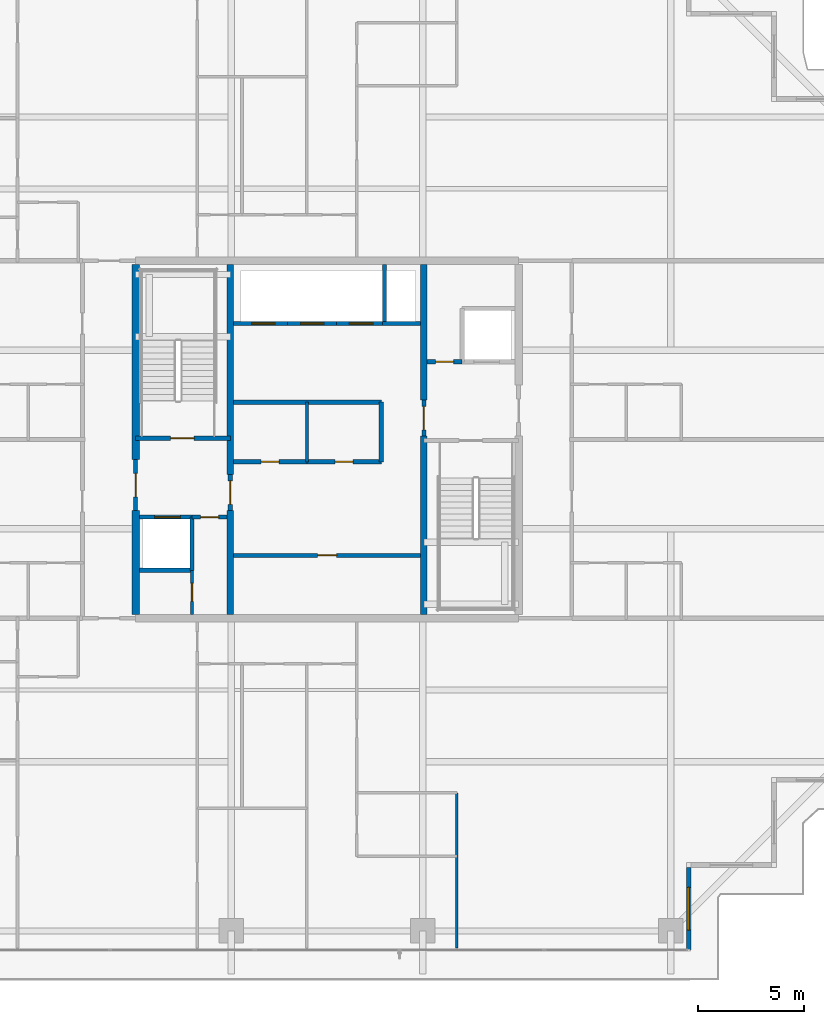
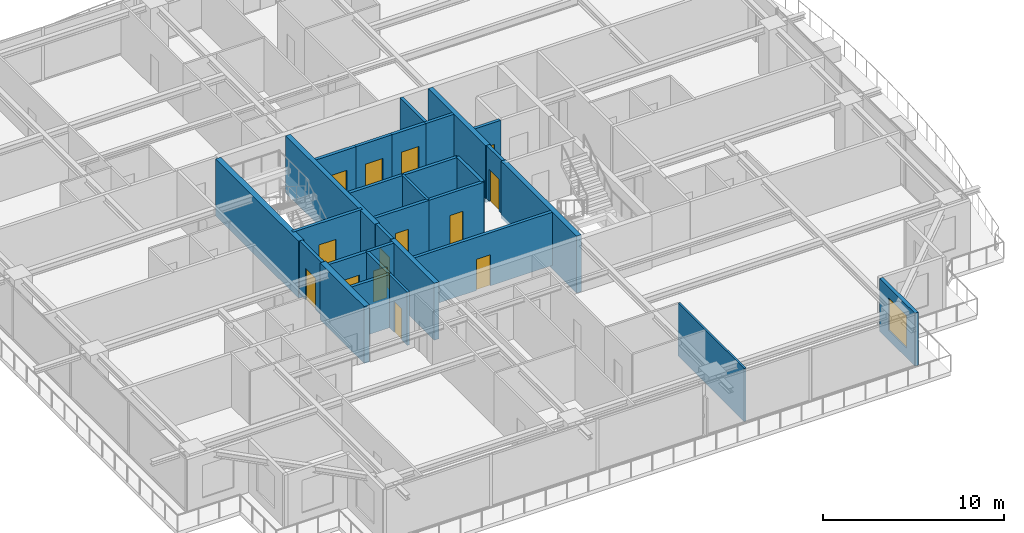
# One storey, part 27 of 38: 29 walls, 14 doors, 1 window, 15 openings.
"""IFC4 building model written with IfcOpenShell, lengths in metres."""

from ifc_helpers import new_model, si_unit, direction, frame, frame_2d, origin, place, context, subcontext, project, spatial, rectangle, extrude, source, transform, mapped, material, layer, layer_set, type_object, element, fill, save


model = new_model("IFC4")

# Units and contexts
model_context = context("Model", 3, precision=1e-05, world=origin(), true_north=direction((0.0, 1.0)))
body_context = subcontext(model_context, "Body", "Model", "MODEL_VIEW")
ifc_project = project(units=[si_unit("LENGTHUNIT", "METRE"), si_unit("AREAUNIT", "SQUARE_METRE"), si_unit("VOLUMEUNIT", "CUBIC_METRE"), si_unit("PLANEANGLEUNIT", "RADIAN"), si_unit("MASSUNIT", "GRAM", prefix="KILO")], contexts=[model_context])

# Site, building, storey
site_placement = place(None, origin())
site = spatial("IfcSite", under=ifc_project, at=site_placement, CompositionType="ELEMENT")
building_placement = place(site_placement, origin())
building = spatial("IfcBuilding", under=site, at=building_placement, Name="Serunith Strait Residences", CompositionType="ELEMENT")
storey_placement = place(building_placement, frame((0.0, 0.0, 264.35009765625)))
storey = spatial("IfcBuildingStorey", under=building, at=storey_placement, Name="L66", CompositionType="ELEMENT", Elevation=264.35009765625)

# Wall, opening, window
ifc_material_1 = material(Name="Pale-Champagne Aluminium Insulated Panel", Category="aluminium")
ifc_layer_1 = layer(ifc_material_1, 0.219970703125, Name="Pale-Champagne Aluminium Insulated Panel")
ifc_layer_set_1 = layer_set([ifc_layer_1], Name="Pale-Champagne Aluminium Insulated Panel")
wall_type_1 = type_object("IfcWallType", Name="EW-ALUM-220", PredefinedType="ELEMENTEDWALL", material=ifc_layer_set_1)
wall_1_placement = place(storey_placement, frame((49.39990234375, 1.199951171875, 0.0), z_axis=(0.0, 0.0, 1.0), x_axis=(0.0, 1.0, 0.0)))
wall_1 = element("IfcWall", 1, at=wall_1_placement, inside=storey, type_object=wall_type_1, Name="L66 Girih Serrated Corner Wall 02", PredefinedType="ELEMENTEDWALL", context=body_context, shape_type="SweptSolid", body=[
    extrude(rectangle(XDim=3.89013671875, YDim=0.219970703125, at=frame_2d((1.945068359375, 0.0))), origin(), (0.0, 0.0, 1.0), 3.574951171875),
])
opening_1_placement = place(wall_1_placement, frame((0.945068359375, 0.0, 0.64990234375)))
opening_1 = element("IfcOpeningElement", 2, at=opening_1_placement, cuts=wall_1, Name="Opening W-04", PredefinedType="OPENING", context=body_context, shape_type="SweptSolid", body=[
    extrude(rectangle(XDim=2.0, YDim=2.199951171875, at=frame_2d((1.0, 1.10009765625))), frame((0.0, 0.1201171875, 0.0), z_axis=(0.0, -1.0, 0.0), x_axis=(1.0, 0.0, 0.0)), (0.0, 0.0, 1.0), 0.239990234375),
])
ifc_material_2 = material(Name="Ceramic-Fritted Operable Aluminium Window Glass", Category="aluminium")
window_type = type_object("IfcWindowType", Name="WIN-C4", PartitioningType="TRIPLE_PANEL_VERTICAL", PredefinedType="WINDOW", material=ifc_material_2)
shared_shape_1 = source(origin(), body_context, "Body", "SweptSolid", [
    extrude(rectangle(XDim=2.0, YDim=2.199951171875, at=frame_2d((1.0, 1.10009765625))), frame((0.0, 0.030029296875, 0.0), z_axis=(0.0, -1.0, 0.0), x_axis=(1.0, 0.0, 0.0)), (0.0, 0.0, 1.0), 0.06005859375),
])
window_placement = place(opening_1_placement, origin())
window = element("IfcWindow", 3, at=window_placement, inside=storey, type_object=window_type, Name="L66 Corner Operable Fritted Window 02", OverallHeight=2.199951171875, OverallWidth=2.0, PartitioningType="SINGLE_PANEL", PredefinedType="WINDOW", context=body_context, shape_type="MappedRepresentation", body=[
    mapped(shared_shape_1, transform((0.0, 0.0, 0.0), scale=1.0)),
])
fill(opening_1, window)

# Wall, opening, door
ifc_material_3 = material(Name="Fire-rated masonry service closet wall", Category="masonry")
ifc_layer_2 = layer(ifc_material_3, 0.14990234375, Name="Fire-rated masonry service closet wall")
ifc_layer_set_2 = layer_set([ifc_layer_2], Name="Fire-rated masonry service closet wall")
wall_type_2 = type_object("IfcWallType", Name="IW-BOH-150", PredefinedType="PARTITIONING", material=ifc_layer_set_2)
wall_2_placement = place(storey_placement, frame((26.050048828125, 16.97509765625, 0.0), z_axis=(0.0, 0.0, 1.0), x_axis=(0.0, 1.0, 0.0)))
wall_2 = element("IfcWall", 4, at=wall_2_placement, inside=storey, type_object=wall_type_2, Name="L66 Partition Wall 011", PredefinedType="PARTITIONING", context=body_context, shape_type="SweptSolid", body=[
    extrude(rectangle(XDim=2.072998046875, YDim=0.14990234375, at=frame_2d((1.03662109375, 0.0))), origin(), (0.0, 0.0, 1.0), 3.58984375),
])
opening_2_placement = place(wall_2_placement, frame((0.611083984375, 0.0, 0.0)))
opening_2 = element("IfcOpeningElement", 5, at=opening_2_placement, cuts=wall_2, Name="Opening FD-850", PredefinedType="OPENING", context=body_context, shape_type="SweptSolid", body=[
    extrude(rectangle(XDim=0.85009765625, YDim=2.10009765625, at=frame_2d((0.425048828125, 1.050048828125))), frame((0.0, 0.0849609375, 0.0), z_axis=(0.0, -1.0, 0.0), x_axis=(1.0, 0.0, 0.0)), (0.0, 0.0, 1.0), 0.169921875),
])
ifc_material_4 = material(Name="Powder-coated steel service closet door", Category="steel")
door_type_1 = type_object("IfcDoorType", Name="FD-BOH-850", OperationType="NOTDEFINED", PredefinedType="DOOR", material=ifc_material_4)
shared_shape_2 = source(origin(), body_context, "Body", "SweptSolid", [
    extrude(rectangle(XDim=0.85009765625, YDim=2.10009765625, at=frame_2d((0.425048828125, 1.050048828125))), frame((0.0, 0.02490234375, 0.0), z_axis=(0.0, -1.0, 0.0), x_axis=(1.0, 0.0, 0.0)), (0.0, 0.0, 1.0), 0.050048828125),
])
door_1_placement = place(opening_2_placement, origin())
door_1 = element("IfcDoor", 6, at=door_1_placement, inside=storey, type_object=door_type_1, Name="L66 Cleaner Store Door", OperationType="SINGLE_SWING_RIGHT", OverallHeight=2.10009765625, OverallWidth=0.85009765625, PredefinedType="DOOR", context=body_context, shape_type="MappedRepresentation", body=[
    mapped(shared_shape_2, transform((0.0, 0.0, 0.0), scale=1.0)),
])
fill(opening_2, door_1)

# Walls
wall_3_placement = place(storey_placement, frame((31.449951171875, 24.14990234375, 0.0), z_axis=(0.0, 0.0, 1.0), x_axis=(0.0, 1.0, 0.0)))
element("IfcWall", 7, at=wall_3_placement, inside=storey, type_object=wall_type_2, Name="L66 Partition Wall 017", PredefinedType="PARTITIONING", context=body_context, shape_type="SweptSolid", body=[
    extrude(rectangle(XDim=2.800048828125, YDim=0.14990234375, at=frame_2d((1.39990234375, 0.0))), origin(), (0.0, 0.0, 1.0), 3.58984375),
])
ifc_material_5 = material(Name="Lightweight steel-stud gypsum partition", Category="steel")
ifc_layer_3 = layer(ifc_material_5, 0.1201171875, Name="Lightweight steel-stud gypsum partition")
ifc_layer_set_3 = layer_set([ifc_layer_3], Name="Lightweight steel-stud gypsum partition")
wall_type_3 = type_object("IfcWallType", Name="IW-PART-120", PredefinedType="PARTITIONING", material=ifc_layer_set_3)
wall_4_placement = place(storey_placement, frame((38.5, 1.294921875, 0.0), z_axis=(0.0, 0.0, 1.0), x_axis=(0.0, 1.0, 0.0)))
element("IfcWall", 8, at=wall_4_placement, inside=storey, type_object=wall_type_3, Name="L66 Partition Wall 048", PredefinedType="PARTITIONING", context=body_context, shape_type="SweptSolid", body=[
    extrude(rectangle(XDim=7.29296875, YDim=0.1201171875, at=frame_2d((3.646484375, 0.0))), origin(), (0.0, 0.0, 1.0), 3.58984375),
])

# Wall, opening, door
ifc_material_6 = material(Name="Autoclaved aerated concrete blockwork", Category="masonry")
ifc_layer_4 = layer(ifc_material_6, 0.199951171875, Name="Autoclaved aerated concrete blockwork")
ifc_layer_set_4 = layer_set([ifc_layer_4], Name="Autoclaved aerated concrete blockwork")
wall_type_4 = type_object("IfcWallType", Name="IW-SHAFT-200", PredefinedType="STANDARD", material=ifc_layer_set_4)
wall_5_placement = place(storey_placement, frame((23.39990234375, 25.25, 0.0), z_axis=(0.0, 0.0, 1.0), x_axis=(1.0, 0.0, 0.0)))
wall_5 = element("IfcWall", 9, at=wall_5_placement, inside=storey, type_object=wall_type_4, Name="L66 ST-1 South Shaft Wall", PredefinedType="STANDARD", context=body_context, shape_type="SweptSolid", body=[
    extrude(rectangle(XDim=4.4501953125, YDim=0.199951171875, at=frame_2d((2.22509765625, 0.0))), origin(), (0.0, 0.0, 1.0), 3.58984375),
])
opening_3_placement = place(wall_5_placement, frame((1.64990234375, 0.0, 0.0)))
opening_3 = element("IfcOpeningElement", 10, at=opening_3_placement, cuts=wall_5, Name="Opening FD-1100", PredefinedType="OPENING", context=body_context, shape_type="SweptSolid", body=[
    extrude(rectangle(XDim=1.10009765625, YDim=2.14990234375, at=frame_2d((0.550048828125, 1.074951171875))), frame((0.0, 0.10986328125, 0.0), z_axis=(0.0, -1.0, 0.0), x_axis=(1.0, 0.0, 0.0)), (0.0, 0.0, 1.0), 0.219970703125),
])
ifc_material_7 = material(Name="Galvanised steel fire door leaf", Category="steel")
door_type_2 = type_object("IfcDoorType", Name="FD-STAIR-1100", OperationType="NOTDEFINED", PredefinedType="DOOR", material=ifc_material_7)
shared_shape_3 = source(origin(), body_context, "Body", "SweptSolid", [
    extrude(rectangle(XDim=1.10009765625, YDim=2.14990234375, at=frame_2d((0.550048828125, 1.074951171875))), frame((0.0, 0.02490234375, 0.0), z_axis=(0.0, -1.0, 0.0), x_axis=(1.0, 0.0, 0.0)), (0.0, 0.0, 1.0), 0.050048828125),
])
door_2_placement = place(opening_3_placement, origin())
door_2 = element("IfcDoor", 11, at=door_2_placement, inside=storey, type_object=door_type_2, Name="L66 ST-1 Escape Stair Door", OperationType="SINGLE_SWING_RIGHT", OverallHeight=2.14990234375, OverallWidth=1.10009765625, PredefinedType="DOOR", context=body_context, shape_type="MappedRepresentation", body=[
    mapped(shared_shape_3, transform((0.0, 0.0, 0.0), scale=1.0)),
])
fill(opening_3, door_2)

wall_6_placement = place(storey_placement, frame((23.574951171875, 21.550048828125, 0.0), z_axis=(0.0, 0.0, 1.0), x_axis=(1.0, 0.0, 0.0)))
wall_6 = element("IfcWall", 12, at=wall_6_placement, inside=storey, type_object=wall_type_4, Name="L66 FL-1 North Shaft Wall", PredefinedType="STANDARD", context=body_context, shape_type="SweptSolid", body=[
    extrude(rectangle(XDim=2.47509765625, YDim=0.199951171875, at=frame_2d((1.237548828125, 0.0))), origin(), (0.0, 0.0, 1.0), 3.58984375),
])
opening_4_placement = place(wall_6_placement, frame((0.72509765625, 0.0, 0.0)))
opening_4 = element("IfcOpeningElement", 13, at=opening_4_placement, cuts=wall_6, Name="Opening LD-FF1200", PredefinedType="OPENING", context=body_context, shape_type="SweptSolid", body=[
    extrude(rectangle(XDim=1.199951171875, YDim=2.199951171875, at=frame_2d((0.60009765625, 1.10009765625))), frame((0.0, 0.10986328125, 0.0), z_axis=(0.0, -1.0, 0.0), x_axis=(1.0, 0.0, 0.0)), (0.0, 0.0, 1.0), 0.219970703125),
])
ifc_material_8 = material(Name="Brushed stainless steel landing door", Category="steel")
door_type_3 = type_object("IfcDoorType", Name="LD-FF-1200", OperationType="DOUBLE_DOOR_SLIDING", PredefinedType="DOOR", material=ifc_material_8)
shared_shape_4 = source(origin(), body_context, "Body", "SweptSolid", [
    extrude(rectangle(XDim=1.199951171875, YDim=2.199951171875, at=frame_2d((0.60009765625, 1.10009765625))), frame((0.0, 0.02490234375, 0.0), z_axis=(0.0, -1.0, 0.0), x_axis=(1.0, 0.0, 0.0)), (0.0, 0.0, 1.0), 0.050048828125),
])
door_3_placement = place(opening_4_placement, origin())
door_3 = element("IfcDoor", 14, at=door_3_placement, inside=storey, type_object=door_type_3, Name="L66 FL-1 Landing Door", OperationType="DOUBLE_DOOR_SLIDING", OverallHeight=2.199951171875, OverallWidth=1.199951171875, PredefinedType="DOOR", context=body_context, shape_type="MappedRepresentation", body=[
    mapped(shared_shape_4, transform((0.0, 0.0, 0.0), scale=1.0)),
])
fill(opening_4, door_3)

wall_7_placement = place(storey_placement, frame((28.0, 30.64990234375, 0.0), z_axis=(0.0, 0.0, 1.0), x_axis=(1.0, 0.0, 0.0)))
wall_7 = element("IfcWall", 15, at=wall_7_placement, inside=storey, type_object=wall_type_4, Name="L66 PL-7 South Shaft Wall", PredefinedType="STANDARD", context=body_context, shape_type="SweptSolid", body=[
    extrude(rectangle(XDim=2.550048828125, YDim=0.199951171875, at=frame_2d((1.27490234375, 0.0))), origin(), (0.0, 0.0, 1.0), 3.58984375),
])
opening_5_placement = place(wall_7_placement, frame((0.85009765625, 0.0, 0.0)))
opening_5 = element("IfcOpeningElement", 16, at=opening_5_placement, cuts=wall_7, Name="Opening LD-1100", PredefinedType="OPENING", context=body_context, shape_type="SweptSolid", body=[
    extrude(rectangle(XDim=1.10009765625, YDim=2.199951171875, at=frame_2d((0.550048828125, 1.10009765625))), frame((0.0, 0.10986328125, 0.0), z_axis=(0.0, -1.0, 0.0), x_axis=(1.0, 0.0, 0.0)), (0.0, 0.0, 1.0), 0.219970703125),
])
ifc_material_9 = material(Name="Pale-champagne stainless landing door")
door_type_4 = type_object("IfcDoorType", Name="LD-LIFT-1100", OperationType="DOUBLE_DOOR_SLIDING", PredefinedType="DOOR", material=ifc_material_9)
shared_shape_5 = source(origin(), body_context, "Body", "SweptSolid", [
    extrude(rectangle(XDim=1.10009765625, YDim=2.199951171875, at=frame_2d((0.550048828125, 1.10009765625))), frame((0.0, 0.02490234375, 0.0), z_axis=(0.0, -1.0, 0.0), x_axis=(1.0, 0.0, 0.0)), (0.0, 0.0, 1.0), 0.050048828125),
])
door_4_placement = place(opening_5_placement, origin())
door_4 = element("IfcDoor", 17, at=door_4_placement, inside=storey, type_object=door_type_4, Name="L66 PL-7 Landing Door", OperationType="DOUBLE_DOOR_SLIDING", OverallHeight=2.199951171875, OverallWidth=1.10009765625, PredefinedType="DOOR", context=body_context, shape_type="MappedRepresentation", body=[
    mapped(shared_shape_5, transform((0.0, 0.0, 0.0), scale=1.0)),
])
fill(opening_5, door_4)

wall_8_placement = place(storey_placement, frame((30.550048828125, 30.64990234375, 0.0), z_axis=(0.0, 0.0, 1.0), x_axis=(1.0, 0.0, 0.0)))
wall_8 = element("IfcWall", 18, at=wall_8_placement, inside=storey, type_object=wall_type_4, Name="L66 PL-8 South Shaft Wall", PredefinedType="STANDARD", context=body_context, shape_type="SweptSolid", body=[
    extrude(rectangle(XDim=2.300048828125, YDim=0.199951171875, at=frame_2d((1.14990234375, 0.0))), origin(), (0.0, 0.0, 1.0), 3.58984375),
])
opening_6_placement = place(wall_8_placement, frame((0.60009765625, 0.0, 0.0)))
opening_6 = element("IfcOpeningElement", 19, at=opening_6_placement, cuts=wall_8, Name="Opening LD-1100", PredefinedType="OPENING", context=body_context, shape_type="SweptSolid", body=[
    extrude(rectangle(XDim=1.10009765625, YDim=2.199951171875, at=frame_2d((0.550048828125, 1.10009765625))), frame((0.0, 0.10986328125, 0.0), z_axis=(0.0, -1.0, 0.0), x_axis=(1.0, 0.0, 0.0)), (0.0, 0.0, 1.0), 0.219970703125),
])
door_5_placement = place(opening_6_placement, origin())
door_5 = element("IfcDoor", 20, at=door_5_placement, inside=storey, type_object=door_type_4, Name="L66 PL-8 Landing Door", OperationType="DOUBLE_DOOR_SLIDING", OverallHeight=2.199951171875, OverallWidth=1.10009765625, PredefinedType="DOOR", context=body_context, shape_type="MappedRepresentation", body=[
    mapped(shared_shape_5, transform((0.0, 0.0, 0.0), scale=1.0)),
])
fill(opening_6, door_5)

wall_9_placement = place(storey_placement, frame((32.85009765625, 30.64990234375, 0.0), z_axis=(0.0, 0.0, 1.0), x_axis=(1.0, 0.0, 0.0)))
wall_9 = element("IfcWall", 21, at=wall_9_placement, inside=storey, type_object=wall_type_4, Name="L66 PL-9 South Shaft Wall", PredefinedType="STANDARD", context=body_context, shape_type="SweptSolid", body=[
    extrude(rectangle(XDim=2.14990234375, YDim=0.199951171875, at=frame_2d((1.074951171875, 0.0))), origin(), (0.0, 0.0, 1.0), 3.58984375),
])
opening_7_placement = place(wall_9_placement, frame((0.60009765625, 0.0, 0.0)))
opening_7 = element("IfcOpeningElement", 22, at=opening_7_placement, cuts=wall_9, Name="Opening LD-1100", PredefinedType="OPENING", context=body_context, shape_type="SweptSolid", body=[
    extrude(rectangle(XDim=1.10009765625, YDim=2.199951171875, at=frame_2d((0.550048828125, 1.10009765625))), frame((0.0, 0.10986328125, 0.0), z_axis=(0.0, -1.0, 0.0), x_axis=(1.0, 0.0, 0.0)), (0.0, 0.0, 1.0), 0.219970703125),
])
door_6_placement = place(opening_7_placement, origin())
door_6 = element("IfcDoor", 23, at=door_6_placement, inside=storey, type_object=door_type_4, Name="L66 PL-9 Landing Door", OperationType="DOUBLE_DOOR_SLIDING", OverallHeight=2.199951171875, OverallWidth=1.10009765625, PredefinedType="DOOR", context=body_context, shape_type="MappedRepresentation", body=[
    mapped(shared_shape_5, transform((0.0, 0.0, 0.0), scale=1.0)),
])
fill(opening_7, door_6)

# Walls
wall_10_placement = place(storey_placement, frame((35.0, 30.64990234375, 0.0), z_axis=(0.0, 0.0, 1.0), x_axis=(1.0, 0.0, 0.0)))
element("IfcWall", 24, at=wall_10_placement, inside=storey, type_object=wall_type_4, Name="L66 SL-1 South Shaft Wall", PredefinedType="STANDARD", context=body_context, shape_type="SweptSolid", body=[
    extrude(rectangle(XDim=1.800048828125, YDim=0.199951171875, at=frame_2d((0.89990234375, 0.0))), origin(), (0.0, 0.0, 1.0), 3.58984375),
])
wall_11_placement = place(storey_placement, frame((35.10009765625, 30.75, 0.0), z_axis=(0.0, 0.0, 1.0), x_axis=(0.0, 1.0, 0.0)))
element("IfcWall", 25, at=wall_11_placement, inside=storey, type_object=wall_type_4, Name="L66 SL-1 West Shaft Wall", PredefinedType="STANDARD", context=body_context, shape_type="SweptSolid", body=[
    extrude(rectangle(XDim=2.675048828125, YDim=0.199951171875, at=frame_2d((1.33740234375, 0.0))), origin(), (0.0, 0.0, 1.0), 3.58984375),
])
wall_12_placement = place(storey_placement, frame((26.050048828125, 19.050048828125, 0.0), z_axis=(0.0, 0.0, 1.0), x_axis=(0.0, 1.0, 0.0)))
element("IfcWall", 26, at=wall_12_placement, inside=storey, type_object=wall_type_4, Name="L66 Partition Wall 001", PredefinedType="STANDARD", context=body_context, shape_type="SweptSolid", body=[
    extrude(rectangle(XDim=2.5, YDim=0.199951171875, at=frame_2d((1.25, 0.0))), origin(), (0.0, 0.0, 1.0), 3.58984375),
])
wall_13_placement = place(storey_placement, frame((23.574951171875, 19.050048828125, 0.0), z_axis=(0.0, 0.0, 1.0), x_axis=(1.0, 0.0, 0.0)))
element("IfcWall", 27, at=wall_13_placement, inside=storey, type_object=wall_type_4, Name="L66 Partition Wall 002", PredefinedType="STANDARD", context=body_context, shape_type="SweptSolid", body=[
    extrude(rectangle(XDim=2.47509765625, YDim=0.199951171875, at=frame_2d((1.237548828125, 0.0))), origin(), (0.0, 0.0, 1.0), 3.58984375),
])

# Wall, opening, door
wall_14_placement = place(storey_placement, frame((26.052001953125, 21.550048828125, 0.0), z_axis=(0.0, 0.0, 1.0), x_axis=(1.0, 0.0, 0.0)))
wall_14 = element("IfcWall", 28, at=wall_14_placement, inside=storey, type_object=wall_type_4, Name="L66 Partition Wall 003", PredefinedType="STANDARD", context=body_context, shape_type="SweptSolid", body=[
    extrude(rectangle(XDim=1.64794921875, YDim=0.199951171875, at=frame_2d((0.823974609375, 0.0))), origin(), (0.0, 0.0, 1.0), 3.58984375),
])
opening_8_placement = place(wall_14_placement, frame((0.39892578125, 0.0, 0.0)))
opening_8 = element("IfcOpeningElement", 29, at=opening_8_placement, cuts=wall_14, Name="Opening FD-850", PredefinedType="OPENING", context=body_context, shape_type="SweptSolid", body=[
    extrude(rectangle(XDim=0.85009765625, YDim=2.10009765625, at=frame_2d((0.425048828125, 1.050048828125))), frame((0.0, 0.10986328125, 0.0), z_axis=(0.0, -1.0, 0.0), x_axis=(1.0, 0.0, 0.0)), (0.0, 0.0, 1.0), 0.219970703125),
])
door_7_placement = place(opening_8_placement, origin())
door_7 = element("IfcDoor", 30, at=door_7_placement, inside=storey, type_object=door_type_1, Name="L66 South-West Core Service Door", OperationType="SINGLE_SWING_RIGHT", OverallHeight=2.10009765625, OverallWidth=0.85009765625, PredefinedType="DOOR", context=body_context, shape_type="MappedRepresentation", body=[
    mapped(shared_shape_2, transform((0.0, 0.0, 0.0), scale=1.0)),
])
fill(opening_8, door_7)

wall_15_placement = place(storey_placement, frame((37.10009765625, 28.85009765625, 0.0), z_axis=(0.0, 0.0, 1.0), x_axis=(1.0, 0.0, 0.0)))
wall_15 = element("IfcWall", 31, at=wall_15_placement, inside=storey, type_object=wall_type_4, Name="L66 Partition Wall 006", PredefinedType="STANDARD", context=body_context, shape_type="SweptSolid", body=[
    extrude(rectangle(XDim=1.64794921875, YDim=0.199951171875, at=frame_2d((0.823974609375, 0.0))), origin(), (0.0, 0.0, 1.0), 3.58984375),
])
opening_9_placement = place(wall_15_placement, frame((0.39892578125, 0.0, 0.0)))
opening_9 = element("IfcOpeningElement", 32, at=opening_9_placement, cuts=wall_15, Name="Opening FD-850", PredefinedType="OPENING", context=body_context, shape_type="SweptSolid", body=[
    extrude(rectangle(XDim=0.85009765625, YDim=2.10009765625, at=frame_2d((0.425048828125, 1.050048828125))), frame((0.0, 0.10986328125, 0.0), z_axis=(0.0, -1.0, 0.0), x_axis=(1.0, 0.0, 0.0)), (0.0, 0.0, 1.0), 0.219970703125),
])
door_8_placement = place(opening_9_placement, origin())
door_8 = element("IfcDoor", 33, at=door_8_placement, inside=storey, type_object=door_type_1, Name="L66 North-East Core Service Door", OperationType="SINGLE_SWING_LEFT", OverallHeight=2.10009765625, OverallWidth=0.85009765625, PredefinedType="DOOR", context=body_context, shape_type="MappedRepresentation", body=[
    mapped(shared_shape_2, transform((0.0, 0.0, 0.0), scale=1.0)),
])
fill(opening_9, door_8)

wall_16_placement = place(storey_placement, frame((23.39990234375, 21.85205078125, 0.0), z_axis=(0.0, 0.0, 1.0), x_axis=(0.0, 1.0, 0.0)))
wall_16 = element("IfcWall", 34, at=wall_16_placement, inside=storey, type_object=wall_type_4, Name="L66 Partition Wall 007", PredefinedType="STANDARD", context=body_context, shape_type="SweptSolid", body=[
    extrude(rectangle(XDim=2.39599609375, YDim=0.199951171875, at=frame_2d((1.197998046875, 0.0))), origin(), (0.0, 0.0, 1.0), 3.58984375),
])
opening_10_placement = place(wall_16_placement, frame((0.64794921875, 0.0, 0.0)))
opening_10 = element("IfcOpeningElement", 35, at=opening_10_placement, cuts=wall_16, Name="Opening FD-FFL", PredefinedType="OPENING", context=body_context, shape_type="SweptSolid", body=[
    extrude(rectangle(XDim=1.10009765625, YDim=2.14990234375, at=frame_2d((0.550048828125, 1.074951171875))), frame((0.0, 0.10986328125, 0.0), z_axis=(0.0, -1.0, 0.0), x_axis=(1.0, 0.0, 0.0)), (0.0, 0.0, 1.0), 0.219970703125),
])
ifc_material_10 = material(Name="Glazed steel smoke-lobby fire door", Category="steel")
door_type_5 = type_object("IfcDoorType", Name="FD-FFL-1100", OperationType="NOTDEFINED", PredefinedType="DOOR", material=ifc_material_10)
door_9_placement = place(opening_10_placement, origin())
door_9 = element("IfcDoor", 36, at=door_9_placement, inside=storey, type_object=door_type_5, Name="L66 FFL-1 Corridor Fire Door", OperationType="SINGLE_SWING_RIGHT", OverallHeight=2.14990234375, OverallWidth=1.10009765625, PredefinedType="DOOR", context=body_context, shape_type="MappedRepresentation", body=[
    mapped(shared_shape_3, transform((0.0, 0.0, 0.0), scale=1.0)),
])
fill(opening_10, door_9)

wall_17_placement = place(storey_placement, frame((27.85009765625, 21.85205078125, 0.0), z_axis=(0.0, 0.0, 1.0), x_axis=(0.0, 1.0, 0.0)))
wall_17 = element("IfcWall", 37, at=wall_17_placement, inside=storey, type_object=wall_type_4, Name="L66 Partition Wall 009", PredefinedType="STANDARD", context=body_context, shape_type="SweptSolid", body=[
    extrude(rectangle(XDim=1.696044921875, YDim=0.199951171875, at=frame_2d((0.84814453125, 0.0))), origin(), (0.0, 0.0, 1.0), 3.58984375),
])
opening_11_placement = place(wall_17_placement, frame((0.298095703125, 0.0, 0.0)))
opening_11 = element("IfcOpeningElement", 38, at=opening_11_placement, cuts=wall_17, Name="Opening FD-FFL", PredefinedType="OPENING", context=body_context, shape_type="SweptSolid", body=[
    extrude(rectangle(XDim=1.10009765625, YDim=2.14990234375, at=frame_2d((0.550048828125, 1.074951171875))), frame((0.0, 0.10986328125, 0.0), z_axis=(0.0, -1.0, 0.0), x_axis=(1.0, 0.0, 0.0)), (0.0, 0.0, 1.0), 0.219970703125),
])
door_10_placement = place(opening_11_placement, origin())
door_10 = element("IfcDoor", 39, at=door_10_placement, inside=storey, type_object=door_type_5, Name="L66 FFL-1 Lift Lobby Door", OperationType="SINGLE_SWING_RIGHT", OverallHeight=2.14990234375, OverallWidth=1.10009765625, PredefinedType="DOOR", context=body_context, shape_type="MappedRepresentation", body=[
    mapped(shared_shape_3, transform((0.0, 0.0, 0.0), scale=1.0)),
])
fill(opening_11, door_10)

wall_18_placement = place(storey_placement, frame((36.949951171875, 25.35205078125, 0.0), z_axis=(0.0, 0.0, 1.0), x_axis=(0.0, 1.0, 0.0)))
wall_18 = element("IfcWall", 40, at=wall_18_placement, inside=storey, type_object=wall_type_4, Name="L66 Partition Wall 010", PredefinedType="STANDARD", context=body_context, shape_type="SweptSolid", body=[
    extrude(rectangle(XDim=1.696044921875, YDim=0.199951171875, at=frame_2d((0.84814453125, 0.0))), origin(), (0.0, 0.0, 1.0), 3.58984375),
])
opening_12_placement = place(wall_18_placement, frame((0.298095703125, 0.0, 0.0)))
opening_12 = element("IfcOpeningElement", 41, at=opening_12_placement, cuts=wall_18, Name="Opening FD-FFL", PredefinedType="OPENING", context=body_context, shape_type="SweptSolid", body=[
    extrude(rectangle(XDim=1.10009765625, YDim=2.14990234375, at=frame_2d((0.550048828125, 1.074951171875))), frame((0.0, 0.10986328125, 0.0), z_axis=(0.0, -1.0, 0.0), x_axis=(1.0, 0.0, 0.0)), (0.0, 0.0, 1.0), 0.219970703125),
])
door_11_placement = place(opening_12_placement, origin())
door_11 = element("IfcDoor", 42, at=door_11_placement, inside=storey, type_object=door_type_5, Name="L66 FFL-2 Lift Lobby Door", OperationType="SINGLE_SWING_LEFT", OverallHeight=2.14990234375, OverallWidth=1.10009765625, PredefinedType="DOOR", context=body_context, shape_type="MappedRepresentation", body=[
    mapped(shared_shape_3, transform((0.0, 0.0, 0.0), scale=1.0)),
])
fill(opening_12, door_11)

wall_19_placement = place(storey_placement, frame((28.0, 19.75, 0.0), z_axis=(0.0, 0.0, 1.0), x_axis=(1.0, 0.0, 0.0)))
wall_19 = element("IfcWall", 43, at=wall_19_placement, inside=storey, type_object=wall_type_4, Name="L66 Partition Wall 012", PredefinedType="STANDARD", context=body_context, shape_type="SweptSolid", body=[
    extrude(rectangle(XDim=8.800048828125, YDim=0.199951171875, at=frame_2d((4.39990234375, 0.0))), origin(), (0.0, 0.0, 1.0), 3.58984375),
])
opening_13_placement = place(wall_19_placement, frame((3.949951171875, 0.0, 0.0)))
opening_13 = element("IfcOpeningElement", 44, at=opening_13_placement, cuts=wall_19, Name="Opening FD-900", PredefinedType="OPENING", context=body_context, shape_type="SweptSolid", body=[
    extrude(rectangle(XDim=0.89990234375, YDim=2.10009765625, at=frame_2d((0.449951171875, 1.050048828125))), frame((0.0, 0.10986328125, 0.0), z_axis=(0.0, -1.0, 0.0), x_axis=(1.0, 0.0, 0.0)), (0.0, 0.0, 1.0), 0.219970703125),
])
ifc_material_11 = material(Name="Powder-coated steel riser door", Category="steel")
door_type_6 = type_object("IfcDoorType", Name="FD-BOH-900", OperationType="NOTDEFINED", PredefinedType="DOOR", material=ifc_material_11)
shared_shape_6 = source(origin(), body_context, "Body", "SweptSolid", [
    extrude(rectangle(XDim=0.89990234375, YDim=2.10009765625, at=frame_2d((0.449951171875, 1.050048828125))), frame((0.0, 0.02490234375, 0.0), z_axis=(0.0, -1.0, 0.0), x_axis=(1.0, 0.0, 0.0)), (0.0, 0.0, 1.0), 0.050048828125),
])
door_12_placement = place(opening_13_placement, origin())
door_12 = element("IfcDoor", 45, at=door_12_placement, inside=storey, type_object=door_type_6, Name="L66 Reclaimed BMS Plant Door", OperationType="SINGLE_SWING_LEFT", OverallHeight=2.10009765625, OverallWidth=0.89990234375, PredefinedType="DOOR", context=body_context, shape_type="MappedRepresentation", body=[
    mapped(shared_shape_6, transform((0.0, 0.0, 0.0), scale=1.0)),
])
fill(opening_13, door_12)

# Walls
wall_20_placement = place(storey_placement, frame((28.0, 26.949951171875, 0.0), z_axis=(0.0, 0.0, 1.0), x_axis=(1.0, 0.0, 0.0)))
element("IfcWall", 46, at=wall_20_placement, inside=storey, type_object=wall_type_4, Name="L66 Partition Wall 013", PredefinedType="STANDARD", context=body_context, shape_type="SweptSolid", body=[
    extrude(rectangle(XDim=6.949951171875, YDim=0.199951171875, at=frame_2d((3.47509765625, 0.0))), origin(), (0.0, 0.0, 1.0), 3.58984375),
])
wall_21_placement = place(storey_placement, frame((34.949951171875, 24.14990234375, 0.0), z_axis=(0.0, 0.0, 1.0), x_axis=(0.0, 1.0, 0.0)))
element("IfcWall", 47, at=wall_21_placement, inside=storey, type_object=wall_type_4, Name="L66 Partition Wall 014", PredefinedType="STANDARD", context=body_context, shape_type="SweptSolid", body=[
    extrude(rectangle(XDim=2.800048828125, YDim=0.199951171875, at=frame_2d((1.39990234375, 0.0))), origin(), (0.0, 0.0, 1.0), 3.58984375),
])

# Wall, opening, door
wall_22_placement = place(storey_placement, frame((28.0, 24.14990234375, 0.0), z_axis=(0.0, 0.0, 1.0), x_axis=(1.0, 0.0, 0.0)))
wall_22 = element("IfcWall", 48, at=wall_22_placement, inside=storey, type_object=wall_type_4, Name="L66 Partition Wall 015", PredefinedType="STANDARD", context=body_context, shape_type="SweptSolid", body=[
    extrude(rectangle(XDim=3.449951171875, YDim=0.199951171875, at=frame_2d((1.72509765625, 0.0))), origin(), (0.0, 0.0, 1.0), 3.58984375),
])
opening_14_placement = place(wall_22_placement, frame((1.300048828125, 0.0, 0.0)))
opening_14 = element("IfcOpeningElement", 49, at=opening_14_placement, cuts=wall_22, Name="Opening FD-850", PredefinedType="OPENING", context=body_context, shape_type="SweptSolid", body=[
    extrude(rectangle(XDim=0.85009765625, YDim=2.10009765625, at=frame_2d((0.425048828125, 1.050048828125))), frame((0.0, 0.10986328125, 0.0), z_axis=(0.0, -1.0, 0.0), x_axis=(1.0, 0.0, 0.0)), (0.0, 0.0, 1.0), 0.219970703125),
])
door_13_placement = place(opening_14_placement, origin())
door_13 = element("IfcDoor", 50, at=door_13_placement, inside=storey, type_object=door_type_1, Name="L66 Concierge Store Door", OperationType="SINGLE_SWING_RIGHT", OverallHeight=2.10009765625, OverallWidth=0.85009765625, PredefinedType="DOOR", context=body_context, shape_type="MappedRepresentation", body=[
    mapped(shared_shape_2, transform((0.0, 0.0, 0.0), scale=1.0)),
])
fill(opening_14, door_13)

wall_23_placement = place(storey_placement, frame((31.451904296875, 24.14990234375, 0.0), z_axis=(0.0, 0.0, 1.0), x_axis=(1.0, 0.0, 0.0)))
wall_23 = element("IfcWall", 51, at=wall_23_placement, inside=storey, type_object=wall_type_4, Name="L66 Partition Wall 016", PredefinedType="STANDARD", context=body_context, shape_type="SweptSolid", body=[
    extrude(rectangle(XDim=3.498046875, YDim=0.199951171875, at=frame_2d((1.7490234375, 0.0))), origin(), (0.0, 0.0, 1.0), 3.58984375),
])
opening_15_placement = place(wall_23_placement, frame((1.323974609375, 0.0, 0.0)))
opening_15 = element("IfcOpeningElement", 52, at=opening_15_placement, cuts=wall_23, Name="Opening FD-850", PredefinedType="OPENING", context=body_context, shape_type="SweptSolid", body=[
    extrude(rectangle(XDim=0.85009765625, YDim=2.10009765625, at=frame_2d((0.425048828125, 1.050048828125))), frame((0.0, 0.10986328125, 0.0), z_axis=(0.0, -1.0, 0.0), x_axis=(1.0, 0.0, 0.0)), (0.0, 0.0, 1.0), 0.219970703125),
])
door_14_placement = place(opening_15_placement, origin())
door_14 = element("IfcDoor", 53, at=door_14_placement, inside=storey, type_object=door_type_1, Name="L66 Upper Telecoms Door", OperationType="SINGLE_SWING_LEFT", OverallHeight=2.10009765625, OverallWidth=0.85009765625, PredefinedType="DOOR", context=body_context, shape_type="MappedRepresentation", body=[
    mapped(shared_shape_2, transform((0.0, 0.0, 0.0), scale=1.0)),
])
fill(opening_15, door_14)

# Walls
ifc_material_12 = material(Name="Concrete C60/75", Category="concrete")
ifc_layer_5 = layer(ifc_material_12, 0.300048828125, Name="Concrete C60/75")
ifc_layer_set_5 = layer_set([ifc_layer_5], Name="Concrete C60/75")
wall_type_5 = type_object("IfcWallType", Name="SW-300-C60", PredefinedType="SHEAR", material=ifc_layer_set_5)
wall_24_placement = place(storey_placement, frame((27.85009765625, 16.97509765625, -0.260009765625), z_axis=(0.0, 0.0, 1.0), x_axis=(0.0, 1.0, 0.0)))
element("IfcWall", 54, at=wall_24_placement, inside=storey, type_object=wall_type_5, Name="L66 Core Internal West Web South Pier", PredefinedType="SHEAR", context=body_context, shape_type="SweptSolid", body=[
    extrude(rectangle(XDim=4.875, YDim=0.300048828125, at=frame_2d((2.4375, 0.0))), origin(), (0.0, 0.0, 1.0), 3.847900390625),
])
wall_25_placement = place(storey_placement, frame((27.85009765625, 23.550048828125, -0.260009765625), z_axis=(0.0, 0.0, 1.0), x_axis=(0.0, 1.0, 0.0)))
element("IfcWall", 55, at=wall_25_placement, inside=storey, type_object=wall_type_5, Name="L66 Core Internal West Web North Pier", PredefinedType="SHEAR", context=body_context, shape_type="SweptSolid", body=[
    extrude(rectangle(XDim=9.875, YDim=0.300048828125, at=frame_2d((4.9375, 0.0))), origin(), (0.0, 0.0, 1.0), 3.847900390625),
])
wall_26_placement = place(storey_placement, frame((36.949951171875, 16.97509765625, -0.260009765625), z_axis=(0.0, 0.0, 1.0), x_axis=(0.0, 1.0, 0.0)))
element("IfcWall", 56, at=wall_26_placement, inside=storey, type_object=wall_type_5, Name="L66 Core Internal East Web South Pier", PredefinedType="SHEAR", context=body_context, shape_type="SweptSolid", body=[
    extrude(rectangle(XDim=8.375, YDim=0.300048828125, at=frame_2d((4.1875, 0.0))), origin(), (0.0, 0.0, 1.0), 3.847900390625),
])
wall_27_placement = place(storey_placement, frame((36.949951171875, 27.050048828125, -0.260009765625), z_axis=(0.0, 0.0, 1.0), x_axis=(0.0, 1.0, 0.0)))
element("IfcWall", 57, at=wall_27_placement, inside=storey, type_object=wall_type_5, Name="L66 Core Internal East Web North Pier", PredefinedType="SHEAR", context=body_context, shape_type="SweptSolid", body=[
    extrude(rectangle(XDim=6.375, YDim=0.300048828125, at=frame_2d((3.1875, 0.0))), origin(), (0.0, 0.0, 1.0), 3.847900390625),
])
ifc_layer_6 = layer(ifc_material_12, 0.35009765625, Name="Concrete C60/75")
ifc_layer_set_6 = layer_set([ifc_layer_6], Name="Concrete C60/75")
wall_type_6 = type_object("IfcWallType", Name="SW-350-C60", PredefinedType="SHEAR", material=ifc_layer_set_6)
wall_28_placement = place(storey_placement, frame((23.39990234375, 16.97509765625, -0.260009765625), z_axis=(0.0, 0.0, 1.0), x_axis=(0.0, 1.0, 0.0)))
element("IfcWall", 58, at=wall_28_placement, inside=storey, type_object=wall_type_6, Name="L66 Core West Shear Wall South Pier", PredefinedType="SHEAR", context=body_context, shape_type="SweptSolid", body=[
    extrude(rectangle(XDim=4.875, YDim=0.35009765625, at=frame_2d((2.4375, 0.0))), origin(), (0.0, 0.0, 1.0), 3.847900390625),
])
wall_29_placement = place(storey_placement, frame((23.39990234375, 24.25, -0.260009765625), z_axis=(0.0, 0.0, 1.0), x_axis=(0.0, 1.0, 0.0)))
element("IfcWall", 59, at=wall_29_placement, inside=storey, type_object=wall_type_6, Name="L66 Core West Shear Wall North Pier", PredefinedType="SHEAR", context=body_context, shape_type="SweptSolid", body=[
    extrude(rectangle(XDim=9.175048828125, YDim=0.35009765625, at=frame_2d((4.58740234375, 0.0))), origin(), (0.0, 0.0, 1.0), 3.847900390625),
])

save(model, "model.ifc")
